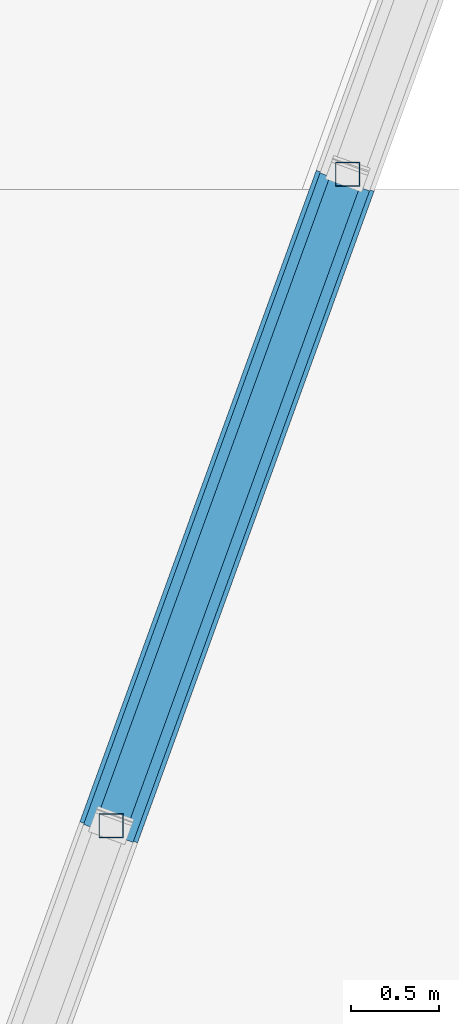
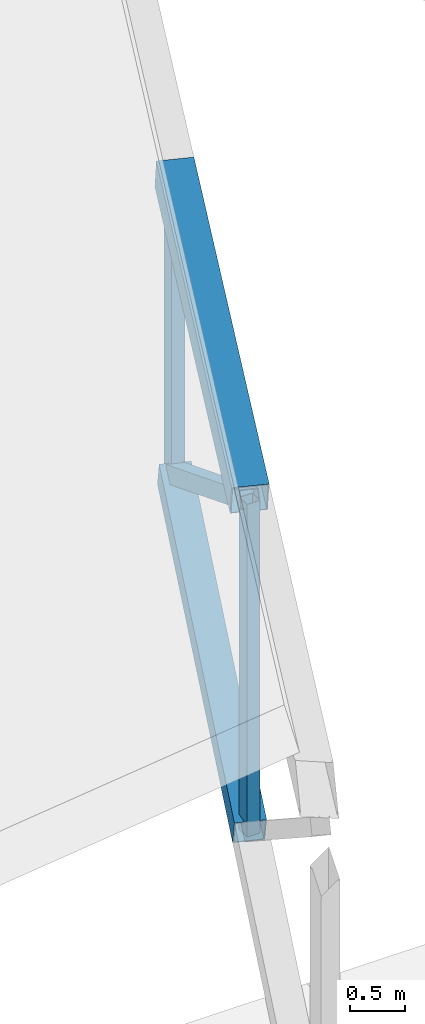
# One storey, part 107 of 188: 5 members.
"""IFC4 building model written with IfcOpenShell, lengths in metres."""

from ifc_helpers import new_model, si_unit, direction, frame, origin, origin_2d, place, context, subcontext, project, spatial, hollow_rectangle, extrude, material, material_profile, profile_set, type_object, element, save


model = new_model("IFC4")

# Units and contexts
model_context = context("Model", 3, precision=1e-05, world=origin(), true_north=direction((0.0, 1.0)))
body_context = subcontext(model_context, "Body", "Model", "MODEL_VIEW")
ifc_project = project(units=[si_unit("LENGTHUNIT", "METRE"), si_unit("AREAUNIT", "SQUARE_METRE"), si_unit("VOLUMEUNIT", "CUBIC_METRE"), si_unit("PLANEANGLEUNIT", "RADIAN"), si_unit("MASSUNIT", "GRAM", prefix="KILO")], contexts=[model_context])

# Site, building, storey
site_placement = place(None, origin())
site = spatial("IfcSite", under=ifc_project, at=site_placement, CompositionType="ELEMENT")
building_placement = place(site_placement, origin())
building = spatial("IfcBuilding", under=site, at=building_placement, Name="Meseta Stadium", CompositionType="ELEMENT")
storey_placement = place(building_placement, frame((0.0, 0.0, 30.0)))
storey = spatial("IfcBuildingStorey", under=building, at=storey_placement, Name="ROOF", CompositionType="ELEMENT", Elevation=30.0)

# Members
ifc_material_1 = material(Name="Steel S355", Category="steel")
ifc_material_profile_1 = material_profile(ifc_material_1, hollow_rectangle(XDim=0.139892578125, YDim=0.139892578125, WallThickness=0.0048828125, at=origin_2d()), Name="SHS 140x140x5")
ifc_profile_set_1 = profile_set([ifc_material_profile_1], Name="Steel S355")
member_type_1 = type_object("IfcMemberType", Name="SHS 140x140x5 post", PredefinedType="POST", material=ifc_profile_set_1)
member_1_placement = place(storey_placement, frame((35.638671875, 97.9755859375, 4.841796875), z_axis=(0.0, 0.0, 1.0), x_axis=(1.0, 0.0, 0.0)))
element("IfcMember", 1, at=member_1_placement, inside=storey, type_object=member_type_1, Name="ROOF TRUSS RT-16 post", PredefinedType="POST", context=body_context, shape_type="SweptSolid", body=[
    extrude(hollow_rectangle(XDim=0.139892578125, YDim=0.139892578125, WallThickness=0.0048828125, at=origin_2d()), origin(), (0.0, 0.0, 1.0), 3.714111328125),
])
member_2_placement = place(storey_placement, frame((36.986083984375, 101.687744140625, 6.127197265625), z_axis=(0.0, 0.0, 1.0), x_axis=(1.0, 0.0, 0.0)))
element("IfcMember", 2, at=member_2_placement, inside=storey, type_object=member_type_1, Name="ROOF TRUSS RT-16 post", PredefinedType="POST", context=body_context, shape_type="SweptSolid", body=[
    extrude(hollow_rectangle(XDim=0.139892578125, YDim=0.139892578125, WallThickness=0.0048828125, at=origin_2d()), origin(), (0.0, 0.0, 1.0), 3.357177734375),
])
ifc_material_2 = material(Name="Steel S355", Category="steel")
ifc_material_profile_2 = material_profile(ifc_material_2, hollow_rectangle(XDim=0.179931640625, YDim=0.179931640625, WallThickness=0.00634765625, at=origin_2d()), Name="SHS 180x180x6.3")
ifc_profile_set_2 = profile_set([ifc_material_profile_2], Name="Steel S355")
member_type_2 = type_object("IfcMemberType", Name="SHS 180x180x6.3 diagonal", PredefinedType="BRACE", material=ifc_profile_set_2)
member_3_placement = place(storey_placement, frame((35.638671875, 97.9755859375, 8.555908203125), z_axis=(0.290629067387, 0.80069124291, -0.523859025614), x_axis=(-0.939993617299, 0.341192027219, 0.0)))
element("IfcMember", 3, at=member_3_placement, inside=storey, type_object=member_type_2, Name="ROOF TRUSS RT-16 diagonal", PredefinedType="BRACE", context=body_context, shape_type="SweptSolid", body=[
    extrude(hollow_rectangle(XDim=0.179931640625, YDim=0.179931640625, WallThickness=0.00634765625, at=origin_2d()), origin(), (0.0, 0.0, 1.0), 4.63623046875),
])
ifc_material_3 = material(Name="Steel S355", Category="steel")
ifc_material_profile_3 = material_profile(ifc_material_3, hollow_rectangle(XDim=0.300048828125, YDim=0.300048828125, WallThickness=0.010009765625, at=origin_2d()), Name="SHS 300x300x10")
ifc_profile_set_3 = profile_set([ifc_material_profile_3], Name="Steel S355")
member_type_3 = type_object("IfcMemberType", Name="SHS 300x300x10 bottom chord", PredefinedType="CHORD", material=ifc_profile_set_3)
member_4_placement = place(storey_placement, frame((35.638671875, 97.9755859375, 4.841796875), z_axis=(0.324438535992, 0.893837278449, 0.309506956332), x_axis=(-0.939993617299, 0.341192027219, 0.0)))
element("IfcMember", 4, at=member_4_placement, inside=storey, type_object=member_type_3, Name="ROOF TRUSS RT-16 bottom chord", PredefinedType="CHORD", context=body_context, shape_type="SweptSolid", body=[
    extrude(hollow_rectangle(XDim=0.300048828125, YDim=0.300048828125, WallThickness=0.010009765625, at=origin_2d()), origin(), (0.0, 0.0, 1.0), 4.153076171875),
])
ifc_material_4 = material(Name="Steel S355", Category="steel")
ifc_material_profile_4 = material_profile(ifc_material_4, hollow_rectangle(XDim=0.35009765625, YDim=0.35009765625, WallThickness=0.010009765625, at=origin_2d()), Name="SHS 350x350x10")
ifc_profile_set_4 = profile_set([ifc_material_profile_4], Name="Steel S355")
member_type_4 = type_object("IfcMemberType", Name="SHS 350x350x10 top chord", PredefinedType="CHORD", material=ifc_profile_set_4)
member_5_placement = place(storey_placement, frame((35.638671875, 97.9755859375, 8.555908203125), z_axis=(0.332136058049, 0.915044167899, 0.228866357811), x_axis=(-0.939993617299, 0.341192027219, 0.0)))
element("IfcMember", 5, at=member_5_placement, inside=storey, type_object=member_type_4, Name="ROOF TRUSS RT-16 top chord", PredefinedType="CHORD", context=body_context, shape_type="SweptSolid", body=[
    extrude(hollow_rectangle(XDim=0.35009765625, YDim=0.35009765625, WallThickness=0.010009765625, at=origin_2d()), origin(), (0.0, 0.0, 1.0), 4.056884765625),
])

save(model, "model.ifc")
